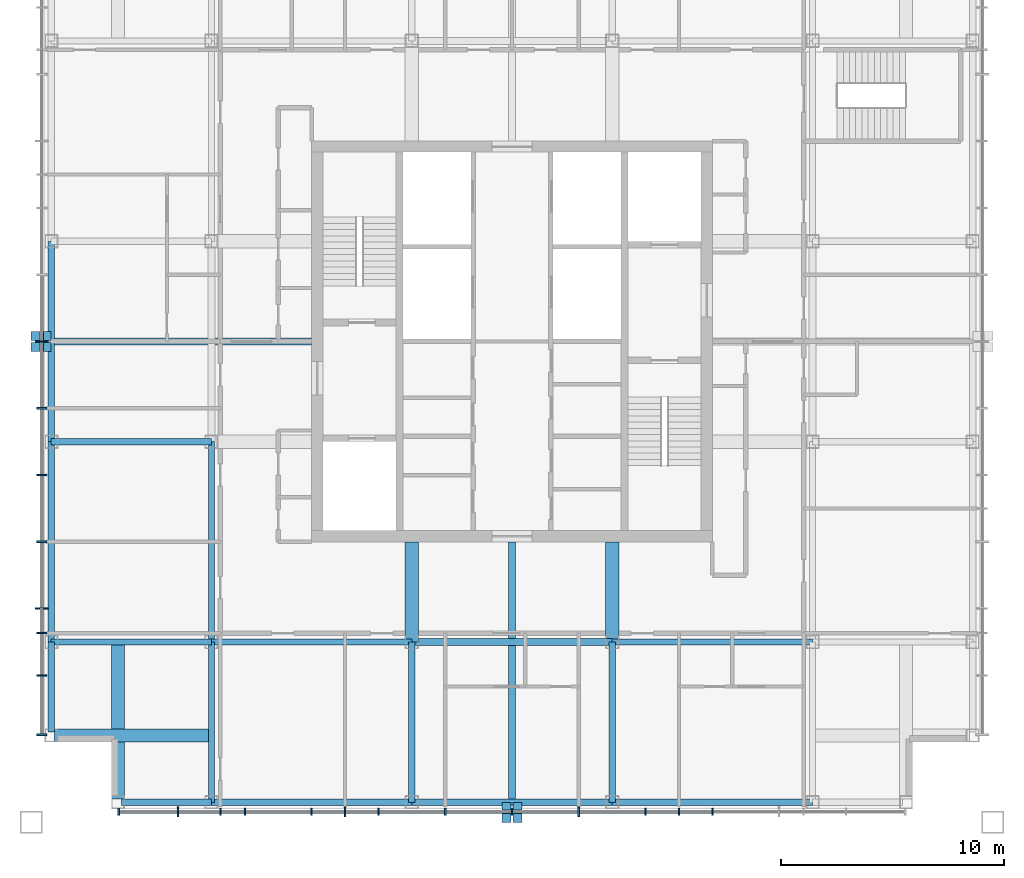
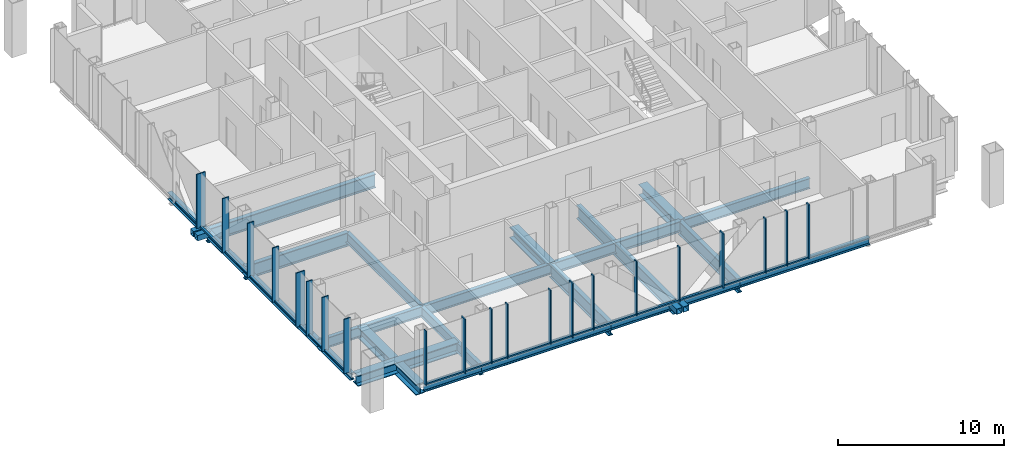
# One storey, part 2 of 12: 45 members, 22 beams, 2 elements without a shape of their own.
"""IFC4 building model written with IfcOpenShell, lengths in metres."""

from ifc_helpers import new_model, si_unit, direction, frame, origin, origin_2d, place, context, subcontext, project, spatial, rectangle, hollow_rectangle, i_section, extrude, material, layer, layer_set, material_profile, profile_set, type_object, element, aggregate, save


model = new_model("IFC4")

# Units and contexts
model_context = context("Model", 3, precision=1e-05, world=origin(), true_north=direction((0.0, 1.0)))
body_context = subcontext(model_context, "Body", "Model", "MODEL_VIEW")
ifc_project = project(units=[si_unit("LENGTHUNIT", "METRE"), si_unit("AREAUNIT", "SQUARE_METRE"), si_unit("VOLUMEUNIT", "CUBIC_METRE"), si_unit("PLANEANGLEUNIT", "RADIAN"), si_unit("MASSUNIT", "GRAM", prefix="KILO")], contexts=[model_context])

# Site, building, storey
site_placement = place(None, origin())
site = spatial("IfcSite", under=ifc_project, at=site_placement, CompositionType="ELEMENT")
building_placement = place(site_placement, origin())
building = spatial("IfcBuilding", under=site, at=building_placement, Name="Malebo Sky Hospital", CompositionType="ELEMENT")
storey_placement = place(building_placement, frame((0.0, 0.0, 270.0)))
storey = spatial("IfcBuildingStorey", under=building, at=storey_placement, Name="L65", CompositionType="ELEMENT", Elevation=270.0)

# Curtain wall, members
ifc_material_1 = material(Name="Anodised aluminium, natural silver", Category="aluminium")
ifc_layer_1 = layer(ifc_material_1, 0.25)
ifc_layer_set_1 = layer_set([ifc_layer_1], Name="WARD CURTAIN WALL EAST AND WEST")
curtain_wall_type_1 = type_object("IfcCurtainWallType", Name="WARD CURTAIN WALL EAST AND WEST", PredefinedType="NOTDEFINED", material=ifc_layer_set_1)
curtain_wall_1_placement = place(storey_placement, origin())
curtain_wall_1 = element("IfcCurtainWall", 1, at=curtain_wall_1_placement, inside=storey, type_object=curtain_wall_type_1, Name="EW curtain wall W", PredefinedType="NOTDEFINED")
ifc_material_profile_1 = material_profile(ifc_material_1, rectangle(XDim=0.14990234375, YDim=0.10009765625, at=origin_2d()), Name="ALUMINIUM TRANSOM 150x100")
ifc_profile_set_1 = profile_set([ifc_material_profile_1], Name="Anodised aluminium, natural silver")
member_type_1 = type_object("IfcMemberType", Name="ALUMINIUM TRANSOM 150x100", PredefinedType="USERDEFINED", material=ifc_profile_set_1)
member_1_placement = place(storey_placement, frame((38.875, 44.375, 0.050048828125), z_axis=(0.0, 1.0, 0.0), x_axis=(-1.0, 0.0, 0.0)))
member_1 = element("IfcMember", 2, at=member_1_placement, type_object=member_type_1, Name="Transom 1", ObjectType="TRANSOM", PredefinedType="USERDEFINED", context=body_context, shape_type="SweptSolid", body=[
    extrude(rectangle(XDim=0.14990234375, YDim=0.10009765625, at=origin_2d()), origin(), (0.0, 0.0, 1.0), 2.58740234375),
])
member_2_placement = place(storey_placement, frame((38.875, 47.03759765625, 0.050048828125), z_axis=(0.0, 1.0, 0.0), x_axis=(-1.0, 0.0, 0.0)))
member_2 = element("IfcMember", 3, at=member_2_placement, type_object=member_type_1, Name="Transom 2", ObjectType="TRANSOM", PredefinedType="USERDEFINED", context=body_context, shape_type="SweptSolid", body=[
    extrude(rectangle(XDim=0.14990234375, YDim=0.10009765625, at=origin_2d()), origin(), (0.0, 0.0, 1.0), 1.824951171875),
])
member_3_placement = place(storey_placement, frame((38.875, 48.9375, 0.050048828125), z_axis=(0.0, 1.0, 0.0), x_axis=(-1.0, 0.0, 0.0)))
member_3 = element("IfcMember", 4, at=member_3_placement, type_object=member_type_1, Name="Transom 3", ObjectType="TRANSOM", PredefinedType="USERDEFINED", context=body_context, shape_type="SweptSolid", body=[
    extrude(rectangle(XDim=0.14990234375, YDim=0.10009765625, at=origin_2d()), origin(), (0.0, 0.0, 1.0), 1.02490234375),
])
member_4_placement = place(storey_placement, frame((38.875, 50.03759765625, 0.050048828125), z_axis=(0.0, 1.0, 0.0), x_axis=(-1.0, 0.0, 0.0)))
member_4 = element("IfcMember", 5, at=member_4_placement, type_object=member_type_1, Name="Transom 4", ObjectType="TRANSOM", PredefinedType="USERDEFINED", context=body_context, shape_type="SweptSolid", body=[
    extrude(rectangle(XDim=0.14990234375, YDim=0.10009765625, at=origin_2d()), origin(), (0.0, 0.0, 1.0), 2.9248046875),
])
member_5_placement = place(storey_placement, frame((38.875, 53.03759765625, 0.050048828125), z_axis=(0.0, 1.0, 0.0), x_axis=(-1.0, 0.0, 0.0)))
member_5 = element("IfcMember", 6, at=member_5_placement, type_object=member_type_1, Name="Transom 5", ObjectType="TRANSOM", PredefinedType="USERDEFINED", context=body_context, shape_type="SweptSolid", body=[
    extrude(rectangle(XDim=0.14990234375, YDim=0.10009765625, at=origin_2d()), origin(), (0.0, 0.0, 1.0), 2.9248046875),
])
member_6_placement = place(storey_placement, frame((38.875, 56.03759765625, 0.050048828125), z_axis=(0.0, 1.0, 0.0), x_axis=(-1.0, 0.0, 0.0)))
member_6 = element("IfcMember", 7, at=member_6_placement, type_object=member_type_1, Name="Transom 6", ObjectType="TRANSOM", PredefinedType="USERDEFINED", context=body_context, shape_type="SweptSolid", body=[
    extrude(rectangle(XDim=0.14990234375, YDim=0.10009765625, at=origin_2d()), origin(), (0.0, 0.0, 1.0), 2.9248046875),
])
member_7_placement = place(storey_placement, frame((38.875, 59.03759765625, 0.050048828125), z_axis=(0.0, 1.0, 0.0), x_axis=(-1.0, 0.0, 0.0)))
member_7 = element("IfcMember", 8, at=member_7_placement, type_object=member_type_1, Name="Transom 7", ObjectType="TRANSOM", PredefinedType="USERDEFINED", context=body_context, shape_type="SweptSolid", body=[
    extrude(rectangle(XDim=0.14990234375, YDim=0.10009765625, at=origin_2d()), origin(), (0.0, 0.0, 1.0), 2.9248046875),
])
member_8_placement = place(storey_placement, frame((38.875, 62.03759765625, 0.050048828125), z_axis=(0.0, 1.0, 0.0), x_axis=(-1.0, 0.0, 0.0)))
member_8 = element("IfcMember", 9, at=member_8_placement, type_object=member_type_1, Name="Transom 8", ObjectType="TRANSOM", PredefinedType="USERDEFINED", context=body_context, shape_type="SweptSolid", body=[
    extrude(rectangle(XDim=0.14990234375, YDim=0.10009765625, at=origin_2d()), origin(), (0.0, 0.0, 1.0), 2.9248046875),
])

ifc_layer_2 = layer(ifc_material_1, 0.25)
ifc_layer_set_2 = layer_set([ifc_layer_2], Name="WARD CURTAIN WALL NORTH AND SOUTH")
curtain_wall_type_2 = type_object("IfcCurtainWallType", Name="WARD CURTAIN WALL NORTH AND SOUTH", PredefinedType="NOTDEFINED", material=ifc_layer_set_2)
curtain_wall_2_placement = place(storey_placement, origin())
curtain_wall_2 = element("IfcCurtainWall", 10, at=curtain_wall_2_placement, inside=storey, type_object=curtain_wall_type_2, Name="NS curtain wall S", PredefinedType="NOTDEFINED")
member_9_placement = place(storey_placement, frame((68.96240234375, 40.875, 0.050048828125), z_axis=(-1.0, 0.0, 0.0), x_axis=(0.0, -1.0, 0.0)))
member_9 = element("IfcMember", 11, at=member_9_placement, type_object=member_type_1, Name="Transom 5", ObjectType="TRANSOM", PredefinedType="USERDEFINED", context=body_context, shape_type="SweptSolid", body=[
    extrude(rectangle(XDim=0.14990234375, YDim=0.10009765625, at=origin_2d()), origin(), (0.0, 0.0, 1.0), 1.4248046875),
])
member_10_placement = place(storey_placement, frame((67.46240234375, 40.875, 0.050048828125), z_axis=(-1.0, 0.0, 0.0), x_axis=(0.0, -1.0, 0.0)))
member_10 = element("IfcMember", 12, at=member_10_placement, type_object=member_type_1, Name="Transom 6", ObjectType="TRANSOM", PredefinedType="USERDEFINED", context=body_context, shape_type="SweptSolid", body=[
    extrude(rectangle(XDim=0.14990234375, YDim=0.10009765625, at=origin_2d()), origin(), (0.0, 0.0, 1.0), 1.4248046875),
])
member_11_placement = place(storey_placement, frame((65.96240234375, 40.875, 0.050048828125), z_axis=(-1.0, 0.0, 0.0), x_axis=(0.0, -1.0, 0.0)))
member_11 = element("IfcMember", 13, at=member_11_placement, type_object=member_type_1, Name="Transom 7", ObjectType="TRANSOM", PredefinedType="USERDEFINED", context=body_context, shape_type="SweptSolid", body=[
    extrude(rectangle(XDim=0.14990234375, YDim=0.10009765625, at=origin_2d()), origin(), (0.0, 0.0, 1.0), 2.9248046875),
])
member_12_placement = place(storey_placement, frame((62.96240234375, 40.875, 0.050048828125), z_axis=(-1.0, 0.0, 0.0), x_axis=(0.0, -1.0, 0.0)))
member_12 = element("IfcMember", 14, at=member_12_placement, type_object=member_type_1, Name="Transom 8", ObjectType="TRANSOM", PredefinedType="USERDEFINED", context=body_context, shape_type="SweptSolid", body=[
    extrude(rectangle(XDim=0.14990234375, YDim=0.10009765625, at=origin_2d()), origin(), (0.0, 0.0, 1.0), 2.9248046875),
])
member_13_placement = place(storey_placement, frame((59.96240234375, 40.875, 0.050048828125), z_axis=(-1.0, 0.0, 0.0), x_axis=(0.0, -1.0, 0.0)))
member_13 = element("IfcMember", 15, at=member_13_placement, type_object=member_type_1, Name="Transom 9", ObjectType="TRANSOM", PredefinedType="USERDEFINED", context=body_context, shape_type="SweptSolid", body=[
    extrude(rectangle(XDim=0.14990234375, YDim=0.10009765625, at=origin_2d()), origin(), (0.0, 0.0, 1.0), 2.9248046875),
])
member_14_placement = place(storey_placement, frame((56.96240234375, 40.875, 0.050048828125), z_axis=(-1.0, 0.0, 0.0), x_axis=(0.0, -1.0, 0.0)))
member_14 = element("IfcMember", 16, at=member_14_placement, type_object=member_type_1, Name="Transom 10", ObjectType="TRANSOM", PredefinedType="USERDEFINED", context=body_context, shape_type="SweptSolid", body=[
    extrude(rectangle(XDim=0.14990234375, YDim=0.10009765625, at=origin_2d()), origin(), (0.0, 0.0, 1.0), 2.9248046875),
])
member_15_placement = place(storey_placement, frame((53.96240234375, 40.875, 0.050048828125), z_axis=(-1.0, 0.0, 0.0), x_axis=(0.0, -1.0, 0.0)))
member_15 = element("IfcMember", 17, at=member_15_placement, type_object=member_type_1, Name="Transom 11", ObjectType="TRANSOM", PredefinedType="USERDEFINED", context=body_context, shape_type="SweptSolid", body=[
    extrude(rectangle(XDim=0.14990234375, YDim=0.10009765625, at=origin_2d()), origin(), (0.0, 0.0, 1.0), 1.4248046875),
])
member_16_placement = place(storey_placement, frame((52.46240234375, 40.875, 0.050048828125), z_axis=(-1.0, 0.0, 0.0), x_axis=(0.0, -1.0, 0.0)))
member_16 = element("IfcMember", 18, at=member_16_placement, type_object=member_type_1, Name="Transom 12", ObjectType="TRANSOM", PredefinedType="USERDEFINED", context=body_context, shape_type="SweptSolid", body=[
    extrude(rectangle(XDim=0.14990234375, YDim=0.10009765625, at=origin_2d()), origin(), (0.0, 0.0, 1.0), 1.4248046875),
])
member_17_placement = place(storey_placement, frame((50.96240234375, 40.875, 0.050048828125), z_axis=(-1.0, 0.0, 0.0), x_axis=(0.0, -1.0, 0.0)))
member_17 = element("IfcMember", 19, at=member_17_placement, type_object=member_type_1, Name="Transom 13", ObjectType="TRANSOM", PredefinedType="USERDEFINED", context=body_context, shape_type="SweptSolid", body=[
    extrude(rectangle(XDim=0.14990234375, YDim=0.10009765625, at=origin_2d()), origin(), (0.0, 0.0, 1.0), 2.9248046875),
])
member_18_placement = place(storey_placement, frame((47.96240234375, 40.875, 0.050048828125), z_axis=(-1.0, 0.0, 0.0), x_axis=(0.0, -1.0, 0.0)))
member_18 = element("IfcMember", 20, at=member_18_placement, type_object=member_type_1, Name="Transom 14", ObjectType="TRANSOM", PredefinedType="USERDEFINED", context=body_context, shape_type="SweptSolid", body=[
    extrude(rectangle(XDim=0.14990234375, YDim=0.10009765625, at=origin_2d()), origin(), (0.0, 0.0, 1.0), 1.02490234375),
])
member_19_placement = place(storey_placement, frame((46.862548828125, 40.875, 0.050048828125), z_axis=(-1.0, 0.0, 0.0), x_axis=(0.0, -1.0, 0.0)))
member_19 = element("IfcMember", 21, at=member_19_placement, type_object=member_type_1, Name="Transom 15", ObjectType="TRANSOM", PredefinedType="USERDEFINED", context=body_context, shape_type="SweptSolid", body=[
    extrude(rectangle(XDim=0.14990234375, YDim=0.10009765625, at=origin_2d()), origin(), (0.0, 0.0, 1.0), 1.824951171875),
])
member_20_placement = place(storey_placement, frame((44.96240234375, 40.875, 0.050048828125), z_axis=(-1.0, 0.0, 0.0), x_axis=(0.0, -1.0, 0.0)))
member_20 = element("IfcMember", 22, at=member_20_placement, type_object=member_type_1, Name="Transom 16", ObjectType="TRANSOM", PredefinedType="USERDEFINED", context=body_context, shape_type="SweptSolid", body=[
    extrude(rectangle(XDim=0.14990234375, YDim=0.10009765625, at=origin_2d()), origin(), (0.0, 0.0, 1.0), 2.58740234375),
])

# Members
ifc_material_2 = material(Name="Steel S355", Category="steel")
ifc_material_profile_2 = material_profile(ifc_material_2, hollow_rectangle(XDim=0.39990234375, YDim=0.39990234375, WallThickness=0.02001953125, at=origin_2d()), Name="SHS 400x20")
ifc_profile_set_2 = profile_set([ifc_material_profile_2], Name="Steel S355")
member_type_2 = type_object("IfcMemberType", Name="BRACE STRUT SHS 400x20", PredefinedType="STRUT", material=ifc_profile_set_2)
for number, where, z_axis, x_axis, name in (
    (23, (60.240234375, 40.39990234375, -0.39990234375), (0.0, 1.0, 0.0), (-1.0, 0.0, 0.0), "Brace strut DS1 L65"),
    (24, (59.759765625, 40.39990234375, -0.39990234375), (0.0, 1.0, 0.0), (-1.0, 0.0, 0.0), "Brace strut DS2 L65"),
    (25, (38.39990234375, 61.759765625, -0.39990234375), (1.0, 0.0, 0.0), (0.0, 1.0, 0.0), "Brace strut DW1 L65"),
    (26, (38.39990234375, 62.240234375, -0.39990234375), (1.0, 0.0, 0.0), (0.0, 1.0, 0.0), "Brace strut DW2 L65"),
):
    element("IfcMember", number, at=place(storey_placement, frame(where, z_axis=z_axis, x_axis=x_axis)), inside=storey, type_object=member_type_2, Name=name, PredefinedType="STRUT", context=body_context, shape_type="SweptSolid", body=[
        extrude(hollow_rectangle(XDim=0.39990234375, YDim=0.39990234375, WallThickness=0.02001953125, at=origin_2d()), origin(), (0.0, 0.0, 1.0), 0.900146484375),
    ])

# Member
ifc_material_profile_3 = material_profile(ifc_material_1, rectangle(XDim=0.074951171875, YDim=0.300048828125, at=origin_2d()), Name="CW1 ALUMINIUM FIN MULLION 75x300")
ifc_profile_set_3 = profile_set([ifc_material_profile_3], Name="Anodised aluminium, natural silver")
member_type_3 = type_object("IfcMemberType", Name="CW1 ALUMINIUM FIN MULLION 75x300", PredefinedType="MULLION", material=ifc_profile_set_3)
member_21_placement = place(storey_placement, frame((69.0, 40.875, 0.0), z_axis=(0.0, 0.0, 1.0), x_axis=(-1.0, 0.0, 0.0)))
member_21 = element("IfcMember", 27, at=member_21_placement, type_object=member_type_3, Name="Fin mullion 5", PredefinedType="MULLION", context=body_context, shape_type="SweptSolid", body=[
    extrude(rectangle(XDim=0.074951171875, YDim=0.300048828125, at=origin_2d()), origin(), (0.0, 0.0, 1.0), 4.0),
])

member_22_placement = place(storey_placement, frame((67.5, 40.875, 0.0), z_axis=(0.0, 0.0, 1.0), x_axis=(-1.0, 0.0, 0.0)))
member_22 = element("IfcMember", 28, at=member_22_placement, type_object=member_type_3, Name="Fin mullion 6", PredefinedType="MULLION", context=body_context, shape_type="SweptSolid", body=[
    extrude(rectangle(XDim=0.074951171875, YDim=0.300048828125, at=origin_2d()), origin(), (0.0, 0.0, 1.0), 4.0),
])

member_23_placement = place(storey_placement, frame((66.0, 40.875, 0.0), z_axis=(0.0, 0.0, 1.0), x_axis=(-1.0, 0.0, 0.0)))
member_23 = element("IfcMember", 29, at=member_23_placement, type_object=member_type_3, Name="Fin mullion 7", PredefinedType="MULLION", context=body_context, shape_type="SweptSolid", body=[
    extrude(rectangle(XDim=0.074951171875, YDim=0.300048828125, at=origin_2d()), origin(), (0.0, 0.0, 1.0), 4.0),
])

member_24_placement = place(storey_placement, frame((60.0, 40.875, 0.0), z_axis=(0.0, 0.0, 1.0), x_axis=(-1.0, 0.0, 0.0)))
member_24 = element("IfcMember", 30, at=member_24_placement, type_object=member_type_3, Name="Fin mullion 9", PredefinedType="MULLION", context=body_context, shape_type="SweptSolid", body=[
    extrude(rectangle(XDim=0.074951171875, YDim=0.300048828125, at=origin_2d()), origin(), (0.0, 0.0, 1.0), 4.0),
])

member_25_placement = place(storey_placement, frame((57.0, 40.875, 0.0), z_axis=(0.0, 0.0, 1.0), x_axis=(-1.0, 0.0, 0.0)))
member_25 = element("IfcMember", 31, at=member_25_placement, type_object=member_type_3, Name="Fin mullion 10", PredefinedType="MULLION", context=body_context, shape_type="SweptSolid", body=[
    extrude(rectangle(XDim=0.074951171875, YDim=0.300048828125, at=origin_2d()), origin(), (0.0, 0.0, 1.0), 4.0),
])

member_26_placement = place(storey_placement, frame((54.0, 40.875, 0.0), z_axis=(0.0, 0.0, 1.0), x_axis=(-1.0, 0.0, 0.0)))
member_26 = element("IfcMember", 32, at=member_26_placement, type_object=member_type_3, Name="Fin mullion 11", PredefinedType="MULLION", context=body_context, shape_type="SweptSolid", body=[
    extrude(rectangle(XDim=0.074951171875, YDim=0.300048828125, at=origin_2d()), origin(), (0.0, 0.0, 1.0), 4.0),
])

member_27_placement = place(storey_placement, frame((51.0, 40.875, 0.0), z_axis=(0.0, 0.0, 1.0), x_axis=(-1.0, 0.0, 0.0)))
member_27 = element("IfcMember", 33, at=member_27_placement, type_object=member_type_3, Name="Fin mullion 13", PredefinedType="MULLION", context=body_context, shape_type="SweptSolid", body=[
    extrude(rectangle(XDim=0.074951171875, YDim=0.300048828125, at=origin_2d()), origin(), (0.0, 0.0, 1.0), 4.0),
])

member_28_placement = place(storey_placement, frame((48.0, 40.875, 0.0), z_axis=(0.0, 0.0, 1.0), x_axis=(-1.0, 0.0, 0.0)))
member_28 = element("IfcMember", 34, at=member_28_placement, type_object=member_type_3, Name="Fin mullion 14", PredefinedType="MULLION", context=body_context, shape_type="SweptSolid", body=[
    extrude(rectangle(XDim=0.074951171875, YDim=0.300048828125, at=origin_2d()), origin(), (0.0, 0.0, 1.0), 4.0),
])

member_29_placement = place(storey_placement, frame((46.89990234375, 40.875, 0.0), z_axis=(0.0, 0.0, 1.0), x_axis=(-1.0, 0.0, 0.0)))
member_29 = element("IfcMember", 35, at=member_29_placement, type_object=member_type_3, Name="Fin mullion 15", PredefinedType="MULLION", context=body_context, shape_type="SweptSolid", body=[
    extrude(rectangle(XDim=0.074951171875, YDim=0.300048828125, at=origin_2d()), origin(), (0.0, 0.0, 1.0), 4.0),
])

member_30_placement = place(storey_placement, frame((42.33740234375, 40.875, 0.0), z_axis=(0.0, 0.0, 1.0), x_axis=(-1.0, 0.0, 0.0)))
member_30 = element("IfcMember", 36, at=member_30_placement, type_object=member_type_3, Name="Fin mullion 17", PredefinedType="MULLION", context=body_context, shape_type="SweptSolid", body=[
    extrude(rectangle(XDim=0.074951171875, YDim=0.300048828125, at=origin_2d()), origin(), (0.0, 0.0, 1.0), 4.0),
])

ifc_material_profile_4 = material_profile(ifc_material_1, rectangle(XDim=0.074951171875, YDim=0.449951171875, at=origin_2d()), Name="CW1 ALUMINIUM FIN MULLION 75x450")
ifc_profile_set_4 = profile_set([ifc_material_profile_4], Name="Anodised aluminium, natural silver")
member_type_4 = type_object("IfcMemberType", Name="CW1 ALUMINIUM FIN MULLION 75x450", PredefinedType="MULLION", material=ifc_profile_set_4)
member_31_placement = place(storey_placement, frame((63.0, 40.875, 0.0), z_axis=(0.0, 0.0, 1.0), x_axis=(-1.0, 0.0, 0.0)))
member_31 = element("IfcMember", 37, at=member_31_placement, type_object=member_type_4, Name="Fin mullion 8", PredefinedType="MULLION", context=body_context, shape_type="SweptSolid", body=[
    extrude(rectangle(XDim=0.074951171875, YDim=0.449951171875, at=origin_2d()), origin(), (0.0, 0.0, 1.0), 4.0),
])

member_32_placement = place(storey_placement, frame((52.5, 40.875, 0.0), z_axis=(0.0, 0.0, 1.0), x_axis=(-1.0, 0.0, 0.0)))
member_32 = element("IfcMember", 38, at=member_32_placement, type_object=member_type_4, Name="Fin mullion 12", PredefinedType="MULLION", context=body_context, shape_type="SweptSolid", body=[
    extrude(rectangle(XDim=0.074951171875, YDim=0.449951171875, at=origin_2d()), origin(), (0.0, 0.0, 1.0), 4.0),
])

member_33_placement = place(storey_placement, frame((45.0, 40.875, 0.0), z_axis=(0.0, 0.0, 1.0), x_axis=(-1.0, 0.0, 0.0)))
member_33 = element("IfcMember", 39, at=member_33_placement, type_object=member_type_4, Name="Fin mullion 16", PredefinedType="MULLION", context=body_context, shape_type="SweptSolid", body=[
    extrude(rectangle(XDim=0.074951171875, YDim=0.449951171875, at=origin_2d()), origin(), (0.0, 0.0, 1.0), 4.0),
])

aggregate(curtain_wall_2, [member_21, member_22, member_23, member_31, member_24, member_25, member_26, member_32, member_27, member_28, member_29, member_33, member_30, member_9, member_10, member_11, member_12, member_13, member_14, member_15, member_16, member_17, member_18, member_19, member_20])

ifc_material_profile_5 = material_profile(ifc_material_1, rectangle(XDim=0.074951171875, YDim=0.449951171875, at=origin_2d()), Name="CW2 ALUMINIUM FIN MULLION 75x450")
ifc_profile_set_5 = profile_set([ifc_material_profile_5], Name="Anodised aluminium, natural silver")
member_type_5 = type_object("IfcMemberType", Name="CW2 ALUMINIUM FIN MULLION 75x450", PredefinedType="MULLION", material=ifc_profile_set_5)
member_34_placement = place(storey_placement, frame((38.875, 44.33740234375, 0.0), z_axis=(0.0, 0.0, 1.0), x_axis=(0.0, 1.0, 0.0)))
member_34 = element("IfcMember", 40, at=member_34_placement, type_object=member_type_5, Name="Fin mullion 1", PredefinedType="MULLION", context=body_context, shape_type="SweptSolid", body=[
    extrude(rectangle(XDim=0.074951171875, YDim=0.449951171875, at=origin_2d()), origin(), (0.0, 0.0, 1.0), 4.0),
])

member_35_placement = place(storey_placement, frame((38.875, 47.0, 0.0), z_axis=(0.0, 0.0, 1.0), x_axis=(0.0, 1.0, 0.0)))
member_35 = element("IfcMember", 41, at=member_35_placement, type_object=member_type_5, Name="Fin mullion 2", PredefinedType="MULLION", context=body_context, shape_type="SweptSolid", body=[
    extrude(rectangle(XDim=0.074951171875, YDim=0.449951171875, at=origin_2d()), origin(), (0.0, 0.0, 1.0), 4.0),
])

member_36_placement = place(storey_placement, frame((38.875, 48.89990234375, 0.0), z_axis=(0.0, 0.0, 1.0), x_axis=(0.0, 1.0, 0.0)))
member_36 = element("IfcMember", 42, at=member_36_placement, type_object=member_type_5, Name="Fin mullion 3", PredefinedType="MULLION", context=body_context, shape_type="SweptSolid", body=[
    extrude(rectangle(XDim=0.074951171875, YDim=0.449951171875, at=origin_2d()), origin(), (0.0, 0.0, 1.0), 4.0),
])

member_37_placement = place(storey_placement, frame((38.875, 53.0, 0.0), z_axis=(0.0, 0.0, 1.0), x_axis=(0.0, 1.0, 0.0)))
member_37 = element("IfcMember", 43, at=member_37_placement, type_object=member_type_5, Name="Fin mullion 5", PredefinedType="MULLION", context=body_context, shape_type="SweptSolid", body=[
    extrude(rectangle(XDim=0.074951171875, YDim=0.449951171875, at=origin_2d()), origin(), (0.0, 0.0, 1.0), 4.0),
])

member_38_placement = place(storey_placement, frame((38.875, 56.0, 0.0), z_axis=(0.0, 0.0, 1.0), x_axis=(0.0, 1.0, 0.0)))
member_38 = element("IfcMember", 44, at=member_38_placement, type_object=member_type_5, Name="Fin mullion 6", PredefinedType="MULLION", context=body_context, shape_type="SweptSolid", body=[
    extrude(rectangle(XDim=0.074951171875, YDim=0.449951171875, at=origin_2d()), origin(), (0.0, 0.0, 1.0), 4.0),
])

member_39_placement = place(storey_placement, frame((38.875, 59.0, 0.0), z_axis=(0.0, 0.0, 1.0), x_axis=(0.0, 1.0, 0.0)))
member_39 = element("IfcMember", 45, at=member_39_placement, type_object=member_type_5, Name="Fin mullion 7", PredefinedType="MULLION", context=body_context, shape_type="SweptSolid", body=[
    extrude(rectangle(XDim=0.074951171875, YDim=0.449951171875, at=origin_2d()), origin(), (0.0, 0.0, 1.0), 4.0),
])

ifc_material_profile_6 = material_profile(ifc_material_1, rectangle(XDim=0.074951171875, YDim=0.60009765625, at=origin_2d()), Name="CW2 ALUMINIUM FIN MULLION 75x600")
ifc_profile_set_6 = profile_set([ifc_material_profile_6], Name="Anodised aluminium, natural silver")
member_type_6 = type_object("IfcMemberType", Name="CW2 ALUMINIUM FIN MULLION 75x600", PredefinedType="MULLION", material=ifc_profile_set_6)
member_40_placement = place(storey_placement, frame((38.875, 50.0, 0.0), z_axis=(0.0, 0.0, 1.0), x_axis=(0.0, 1.0, 0.0)))
member_40 = element("IfcMember", 46, at=member_40_placement, type_object=member_type_6, Name="Fin mullion 4", PredefinedType="MULLION", context=body_context, shape_type="SweptSolid", body=[
    extrude(rectangle(XDim=0.074951171875, YDim=0.60009765625, at=origin_2d()), origin(), (0.0, 0.0, 1.0), 4.0),
])

member_41_placement = place(storey_placement, frame((38.875, 62.0, 0.0), z_axis=(0.0, 0.0, 1.0), x_axis=(0.0, 1.0, 0.0)))
member_41 = element("IfcMember", 47, at=member_41_placement, type_object=member_type_6, Name="Fin mullion 8", PredefinedType="MULLION", context=body_context, shape_type="SweptSolid", body=[
    extrude(rectangle(XDim=0.074951171875, YDim=0.60009765625, at=origin_2d()), origin(), (0.0, 0.0, 1.0), 4.0),
])

aggregate(curtain_wall_1, [member_34, member_35, member_36, member_40, member_37, member_38, member_39, member_41, member_1, member_2, member_3, member_4, member_5, member_6, member_7, member_8])

# Beams
ifc_material_profile_7 = material_profile(ifc_material_2, i_section(OverallWidth=0.305908203125, OverallDepth=0.52392578125, WebThickness=0.02099609375, FlangeThickness=0.0400390625, FilletRadius=0.027099609375, at=origin_2d()), Name="HEM 500")
ifc_profile_set_7 = profile_set([ifc_material_profile_7], Name="Steel S355")
beam_type_1 = type_object("IfcBeamType", Name="EDGE BEAM HEM 500", PredefinedType="BEAM", material=ifc_profile_set_7)
beam_1_placement = place(storey_placement, frame((39.300048828125, 44.449951171875, -0.511962890625), z_axis=(0.0, 1.0, 0.0), x_axis=(-1.0, 0.0, 0.0)))
element("IfcBeam", 48, at=beam_1_placement, inside=storey, type_object=beam_type_1, Name="Beam 000 L65", PredefinedType="BEAM", context=body_context, shape_type="SweptSolid", body=[
    extrude(i_section(OverallWidth=0.305908203125, OverallDepth=0.52392578125, WebThickness=0.02099609375, FlangeThickness=0.0400390625, FilletRadius=0.027099609375, at=origin_2d()), origin(), (0.0, 0.0, 1.0), 4.050048828125),
])
for number, where, z_axis, x_axis, name in (
    (49, (39.300048828125, 48.5, -0.511962890625), (0.0, 1.0, 0.0), (-1.0, 0.0, 0.0), "Beam 001 L65"),
    (50, (39.300048828125, 57.5, -0.511962890625), (0.0, 1.0, 0.0), (-1.0, 0.0, 0.0), "Beam 002 L65"),
):
    element("IfcBeam", number, at=place(storey_placement, frame(where, z_axis=z_axis, x_axis=x_axis)), inside=storey, type_object=beam_type_1, Name=name, PredefinedType="BEAM", context=body_context, shape_type="SweptSolid", body=[
        extrude(i_section(OverallWidth=0.305908203125, OverallDepth=0.52392578125, WebThickness=0.02099609375, FlangeThickness=0.0400390625, FilletRadius=0.027099609375, at=origin_2d()), origin(), (0.0, 0.0, 1.0), 9.0),
    ])
beam_2_placement = place(storey_placement, frame((42.449951171875, 41.300048828125, -0.511962890625), z_axis=(1.0, 0.0, 0.0), x_axis=(0.0, 1.0, 0.0)))
element("IfcBeam", 51, at=beam_2_placement, inside=storey, type_object=beam_type_1, Name="Beam 034 L65", PredefinedType="BEAM", context=body_context, shape_type="SweptSolid", body=[
    extrude(i_section(OverallWidth=0.305908203125, OverallDepth=0.52392578125, WebThickness=0.02099609375, FlangeThickness=0.0400390625, FilletRadius=0.027099609375, at=origin_2d()), origin(), (0.0, 0.0, 1.0), 4.050048828125),
])
for number, where, z_axis, x_axis, name in (
    (52, (46.5, 41.300048828125, -0.511962890625), (1.0, 0.0, 0.0), (0.0, 1.0, 0.0), "Beam 035 L65"),
    (53, (55.5, 41.300048828125, -0.511962890625), (1.0, 0.0, 0.0), (0.0, 1.0, 0.0), "Beam 036 L65"),
    (54, (64.5, 41.300048828125, -0.511962890625), (1.0, 0.0, 0.0), (0.0, 1.0, 0.0), "Beam 037 L65"),
):
    element("IfcBeam", number, at=place(storey_placement, frame(where, z_axis=z_axis, x_axis=x_axis)), inside=storey, type_object=beam_type_1, Name=name, PredefinedType="BEAM", context=body_context, shape_type="SweptSolid", body=[
        extrude(i_section(OverallWidth=0.305908203125, OverallDepth=0.52392578125, WebThickness=0.02099609375, FlangeThickness=0.0400390625, FilletRadius=0.027099609375, at=origin_2d()), origin(), (0.0, 0.0, 1.0), 9.0),
    ])
ifc_material_profile_8 = material_profile(ifc_material_2, i_section(OverallWidth=0.300048828125, OverallDepth=1.0, WebThickness=0.01904296875, FlangeThickness=0.035888671875, FilletRadius=0.030029296875, at=origin_2d()), Name="HEB 1000")
ifc_profile_set_8 = profile_set([ifc_material_profile_8], Name="Steel S355")
beam_type_2 = type_object("IfcBeamType", Name="FLOOR BEAM HEB 1000", PredefinedType="BEAM", material=ifc_profile_set_8)
beam_3_placement = place(storey_placement, frame((55.5, 41.300048828125, -0.75), z_axis=(0.0, 1.0, 0.0), x_axis=(-1.0, 0.0, 0.0)))
element("IfcBeam", 55, at=beam_3_placement, inside=storey, type_object=beam_type_2, Name="Beam 012 L65", PredefinedType="BEAM", context=body_context, shape_type="SweptSolid", body=[
    extrude(i_section(OverallWidth=0.300048828125, OverallDepth=1.0, WebThickness=0.01904296875, FlangeThickness=0.035888671875, FilletRadius=0.030029296875, at=origin_2d()), origin(), (0.0, 0.0, 1.0), 7.199951171875),
])
beam_4_placement = place(storey_placement, frame((60.0, 41.300048828125, -0.75), z_axis=(0.0, 1.0, 0.0), x_axis=(-1.0, 0.0, 0.0)))
element("IfcBeam", 56, at=beam_4_placement, inside=storey, type_object=beam_type_2, Name="Beam 016 L65", PredefinedType="BEAM", context=body_context, shape_type="SweptSolid", body=[
    extrude(i_section(OverallWidth=0.300048828125, OverallDepth=1.0, WebThickness=0.01904296875, FlangeThickness=0.035888671875, FilletRadius=0.030029296875, at=origin_2d()), origin(), (0.0, 0.0, 1.0), 11.699951171875),
])
for number, where, z_axis, x_axis, name in (
    (57, (64.5, 41.300048828125, -0.75), (0.0, 1.0, 0.0), (-1.0, 0.0, 0.0), "Beam 018 L65"),
    (58, (39.300048828125, 57.5, -0.75), (1.0, 0.0, 0.0), (0.0, 1.0, 0.0), "Beam 046 L65"),
):
    element("IfcBeam", number, at=place(storey_placement, frame(where, z_axis=z_axis, x_axis=x_axis)), inside=storey, type_object=beam_type_2, Name=name, PredefinedType="BEAM", context=body_context, shape_type="SweptSolid", body=[
        extrude(i_section(OverallWidth=0.300048828125, OverallDepth=1.0, WebThickness=0.01904296875, FlangeThickness=0.035888671875, FilletRadius=0.030029296875, at=origin_2d()), origin(), (0.0, 0.0, 1.0), 7.199951171875),
    ])
beam_5_placement = place(storey_placement, frame((39.300048828125, 62.0, -0.75), z_axis=(1.0, 0.0, 0.0), x_axis=(0.0, 1.0, 0.0)))
element("IfcBeam", 59, at=beam_5_placement, inside=storey, type_object=beam_type_2, Name="Beam 050 L65", PredefinedType="BEAM", context=body_context, shape_type="SweptSolid", body=[
    extrude(i_section(OverallWidth=0.300048828125, OverallDepth=1.0, WebThickness=0.01904296875, FlangeThickness=0.035888671875, FilletRadius=0.030029296875, at=origin_2d()), origin(), (0.0, 0.0, 1.0), 11.699951171875),
])
ifc_material_profile_9 = material_profile(ifc_material_2, i_section(OverallWidth=0.26708984375, OverallDepth=0.761962890625, WebThickness=0.014404296875, FlangeThickness=0.021484375, FilletRadius=0.01708984375, at=origin_2d()), Name="IPE 750x173")
ifc_profile_set_9 = profile_set([ifc_material_profile_9], Name="Steel S355")
beam_type_3 = type_object("IfcBeamType", Name="FLOOR BEAM IPE 750x173", PredefinedType="BEAM", material=ifc_profile_set_9)
for number, where, z_axis, x_axis, name in (
    (60, (46.5, 48.5, -0.631103515625), (0.0, 1.0, 0.0), (-1.0, 0.0, 0.0), "Beam 008 L65"),
    (61, (46.5, 48.5, -0.631103515625), (1.0, 0.0, 0.0), (0.0, 1.0, 0.0), "Beam 042 L65"),
    (62, (64.5, 48.5, -0.631103515625), (1.0, 0.0, 0.0), (0.0, 1.0, 0.0), "Beam 044 L65"),
):
    element("IfcBeam", number, at=place(storey_placement, frame(where, z_axis=z_axis, x_axis=x_axis)), inside=storey, type_object=beam_type_3, Name=name, PredefinedType="BEAM", context=body_context, shape_type="SweptSolid", body=[
        extrude(i_section(OverallWidth=0.26708984375, OverallDepth=0.761962890625, WebThickness=0.014404296875, FlangeThickness=0.021484375, FilletRadius=0.01708984375, at=origin_2d()), origin(), (0.0, 0.0, 1.0), 9.0),
    ])
ifc_material_profile_10 = material_profile(ifc_material_2, i_section(OverallWidth=0.60009765625, OverallDepth=0.800048828125, WebThickness=0.0400390625, FlangeThickness=0.06005859375, at=origin_2d()), Name="PG 800x600x40x60")
ifc_profile_set_10 = profile_set([ifc_material_profile_10], Name="Steel S355")
beam_type_4 = type_object("IfcBeamType", Name="FLOOR BEAM PG 800x600x40x60", PredefinedType="BEAM", material=ifc_profile_set_10)
beam_6_placement = place(storey_placement, frame((42.300048828125, 41.449951171875, -0.64990234375), z_axis=(0.0, 1.0, 0.0), x_axis=(-1.0, 0.0, 0.0)))
element("IfcBeam", 63, at=beam_6_placement, inside=storey, type_object=beam_type_4, Name="Beam 005 L65", PredefinedType="BEAM", context=body_context, shape_type="SweptSolid", body=[
    extrude(i_section(OverallWidth=0.60009765625, OverallDepth=0.800048828125, WebThickness=0.0400390625, FlangeThickness=0.06005859375, at=origin_2d()), origin(), (0.0, 0.0, 1.0), 7.050048828125),
])
for number, where, z_axis, x_axis, name in (
    (64, (55.5, 48.5, -0.64990234375), (0.0, 1.0, 0.0), (-1.0, 0.0, 0.0), "Beam 013 L65"),
    (65, (64.5, 48.5, -0.64990234375), (0.0, 1.0, 0.0), (-1.0, 0.0, 0.0), "Beam 019 L65"),
):
    element("IfcBeam", number, at=place(storey_placement, frame(where, z_axis=z_axis, x_axis=x_axis)), inside=storey, type_object=beam_type_4, Name=name, PredefinedType="BEAM", context=body_context, shape_type="SweptSolid", body=[
        extrude(i_section(OverallWidth=0.60009765625, OverallDepth=0.800048828125, WebThickness=0.0400390625, FlangeThickness=0.06005859375, at=origin_2d()), origin(), (0.0, 0.0, 1.0), 4.5),
    ])
beam_7_placement = place(storey_placement, frame((39.449951171875, 44.300048828125, -0.64990234375), z_axis=(1.0, 0.0, 0.0), x_axis=(0.0, 1.0, 0.0)))
element("IfcBeam", 66, at=beam_7_placement, inside=storey, type_object=beam_type_4, Name="Beam 039 L65", PredefinedType="BEAM", context=body_context, shape_type="SweptSolid", body=[
    extrude(i_section(OverallWidth=0.60009765625, OverallDepth=0.800048828125, WebThickness=0.0400390625, FlangeThickness=0.06005859375, at=origin_2d()), origin(), (0.0, 0.0, 1.0), 7.050048828125),
])
ifc_material_profile_11 = material_profile(ifc_material_2, i_section(OverallWidth=0.262939453125, OverallDepth=0.7529296875, WebThickness=0.011474609375, FlangeThickness=0.01708984375, FilletRadius=0.01708984375, at=origin_2d()), Name="IPE 750x137")
ifc_profile_set_11 = profile_set([ifc_material_profile_11], Name="Steel S355")
beam_type_5 = type_object("IfcBeamType", Name="FLOOR GIRDER IPE 750x137", PredefinedType="BEAM", material=ifc_profile_set_11)
for number, where, z_axis, x_axis, name in (
    (67, (46.5, 41.300048828125, -0.62646484375), (0.0, 1.0, 0.0), (-1.0, 0.0, 0.0), "Beam 007 L65"),
    (68, (39.300048828125, 48.5, -0.62646484375), (1.0, 0.0, 0.0), (0.0, 1.0, 0.0), "Beam 041 L65"),
):
    element("IfcBeam", number, at=place(storey_placement, frame(where, z_axis=z_axis, x_axis=x_axis)), inside=storey, type_object=beam_type_5, Name=name, PredefinedType="BEAM", context=body_context, shape_type="SweptSolid", body=[
        extrude(i_section(OverallWidth=0.262939453125, OverallDepth=0.7529296875, WebThickness=0.011474609375, FlangeThickness=0.01708984375, FilletRadius=0.01708984375, at=origin_2d()), origin(), (0.0, 0.0, 1.0), 7.199951171875),
    ])
ifc_material_profile_12 = material_profile(ifc_material_2, i_section(OverallWidth=0.300048828125, OverallDepth=0.800048828125, WebThickness=0.017578125, FlangeThickness=0.032958984375, FilletRadius=0.030029296875, at=origin_2d()), Name="HEB 800")
ifc_profile_set_12 = profile_set([ifc_material_profile_12], Name="Steel S355")
beam_type_6 = type_object("IfcBeamType", Name="RING GIRDER HEB 800", PredefinedType="BEAM", material=ifc_profile_set_12)
beam_8_placement = place(storey_placement, frame((55.5, 48.5, -0.64990234375), z_axis=(1.0, 0.0, 0.0), x_axis=(0.0, 1.0, 0.0)))
element("IfcBeam", 69, at=beam_8_placement, inside=storey, type_object=beam_type_6, Name="Beam 043 L65", PredefinedType="BEAM", context=body_context, shape_type="SweptSolid", body=[
    extrude(i_section(OverallWidth=0.300048828125, OverallDepth=0.800048828125, WebThickness=0.017578125, FlangeThickness=0.032958984375, FilletRadius=0.030029296875, at=origin_2d()), origin(), (0.0, 0.0, 1.0), 9.0),
])

save(model, "model.ifc")
